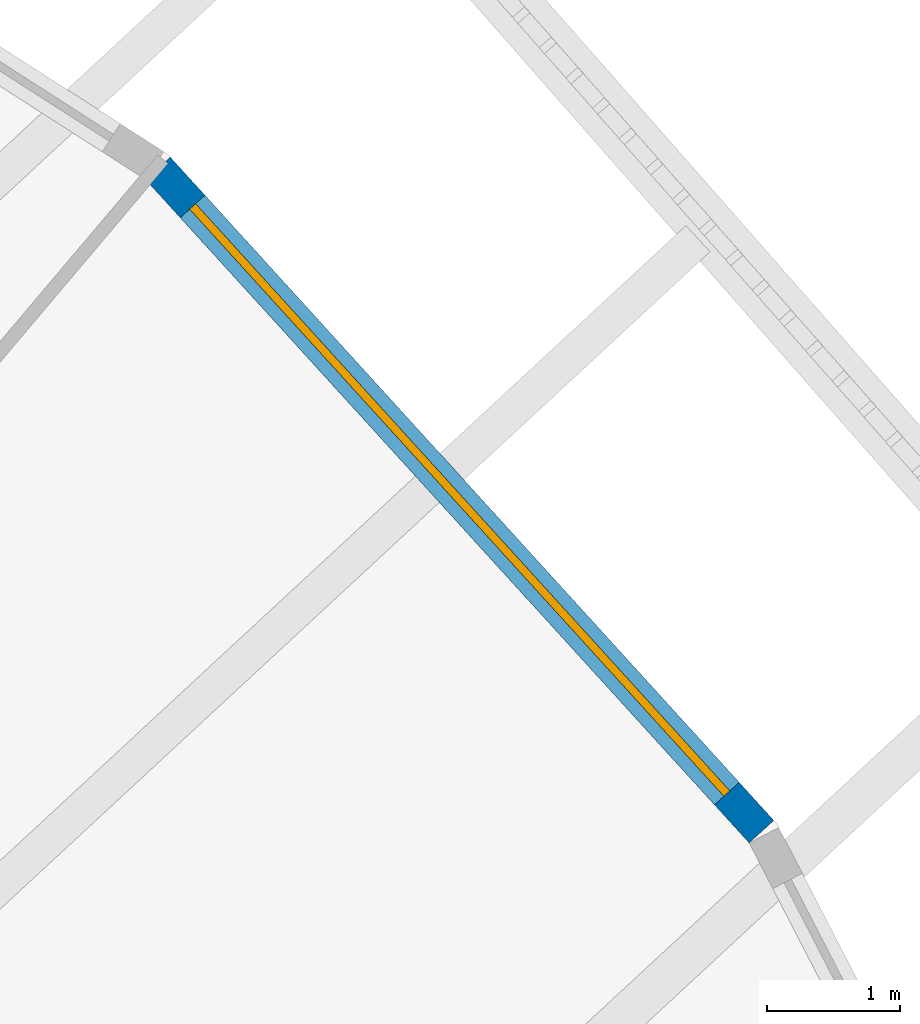
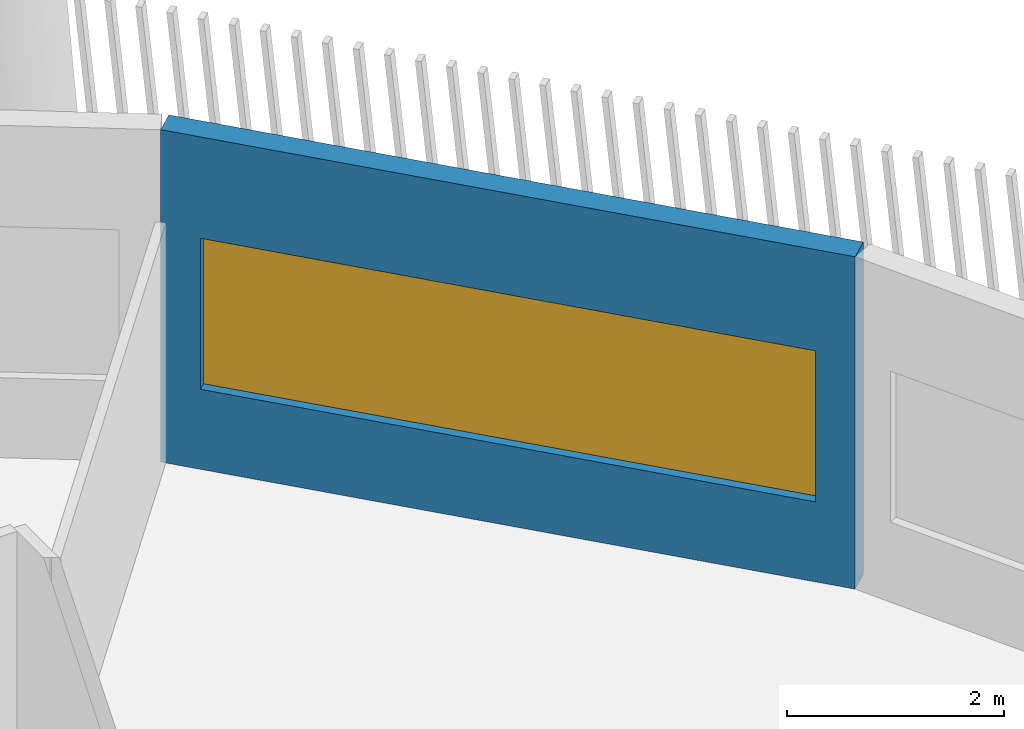
# One storey, part 8 of 22: 1 wall, 1 window, 1 opening.
"""IFC4 building model written with IfcOpenShell, lengths in metres."""

from ifc_helpers import new_model, si_unit, direction, frame, frame_2d, origin, place, context, subcontext, project, spatial, rectangle, extrude, material, layer, layer_set, type_object, element, fill, save


model = new_model("IFC4")

# Units and contexts
model_context = context("Model", 3, precision=1e-05, world=origin(), true_north=direction((0.0, 1.0)))
body_context = subcontext(model_context, "Body", "Model", "MODEL_VIEW")
ifc_project = project(units=[si_unit("LENGTHUNIT", "METRE"), si_unit("AREAUNIT", "SQUARE_METRE"), si_unit("VOLUMEUNIT", "CUBIC_METRE"), si_unit("PLANEANGLEUNIT", "RADIAN"), si_unit("MASSUNIT", "GRAM", prefix="KILO")], contexts=[model_context])

# Site, building, storey
site_placement = place(None, origin())
site = spatial("IfcSite", under=ifc_project, at=site_placement, CompositionType="ELEMENT")
building_placement = place(site_placement, origin())
building = spatial("IfcBuilding", under=site, at=building_placement, Name="Tarsis Ring Headquarters", CompositionType="ELEMENT")
storey_placement = place(building_placement, frame((0.0, 0.0, 63.39990234375)))
storey = spatial("IfcBuildingStorey", under=building, at=storey_placement, Name="L13", CompositionType="ELEMENT", Elevation=63.39990234375)

# Wall, opening, window
ifc_material_1 = material(Name="Terracotta clad insulated panel wall", Category="masonry")
ifc_layer = layer(ifc_material_1, 0.25)
ifc_layer_set = layer_set([ifc_layer], Name="Facade wall terracotta panel 250")
wall_type = type_object("IfcWallType", Name="Facade wall terracotta panel 250", PredefinedType="STANDARD", material=ifc_layer_set)
wall_placement = place(storey_placement, frame((21.2353515625, 14.77880859375, 0.0), z_axis=(0.0, 0.0, 1.0), x_axis=(-0.673014414109, 0.739629365562, 0.0)))
wall = element("IfcWall", 1, at=wall_placement, inside=storey, type_object=wall_type, Name="External wall L13-26", PredefinedType="STANDARD", context=body_context, shape_type="SweptSolid", body=[
    extrude(rectangle(XDim=6.721435546875, YDim=0.25, at=frame_2d((3.36083984375, 0.0))), origin(), (0.0, 0.0, 1.0), 3.739990234375),
])
opening_placement = place(wall_placement, frame((0.3857421875, 0.0, 0.89990234375)))
opening = element("IfcOpeningElement", 2, at=opening_placement, cuts=wall, Name="Opening WN07", PredefinedType="OPENING", context=body_context, shape_type="SweptSolid", body=[
    extrude(rectangle(XDim=5.949951171875, YDim=1.699951171875, at=frame_2d((2.97509765625, 0.85009765625))), frame((0.0, 0.135009765625, 0.0), z_axis=(0.0, -1.0, 0.0), x_axis=(1.0, 0.0, 0.0)), (0.0, 0.0, 1.0), 0.27001953125),
])
ifc_material_2 = material(Name="Aluminium framed double glazing", Category="aluminium")
window_type = type_object("IfcWindowType", Name="Facade window 5950 x 1700", PartitioningType="SINGLE_PANEL", PredefinedType="WINDOW", material=ifc_material_2)
window_placement = place(opening_placement, origin())
window = element("IfcWindow", 3, at=window_placement, inside=storey, type_object=window_type, Name="Window L13-26.1", OverallHeight=1.699951171875, OverallWidth=5.949951171875, PartitioningType="SINGLE_PANEL", PredefinedType="WINDOW", context=body_context, shape_type="SweptSolid", body=[
    extrude(rectangle(XDim=5.949951171875, YDim=1.699951171875, at=frame_2d((2.97509765625, 0.85009765625))), frame((0.0, 0.030029296875, 0.0), z_axis=(0.0, -1.0, 0.0), x_axis=(1.0, 0.0, 0.0)), (0.0, 0.0, 1.0), 0.06005859375),
])
fill(opening, window)

save(model, "model.ifc")
